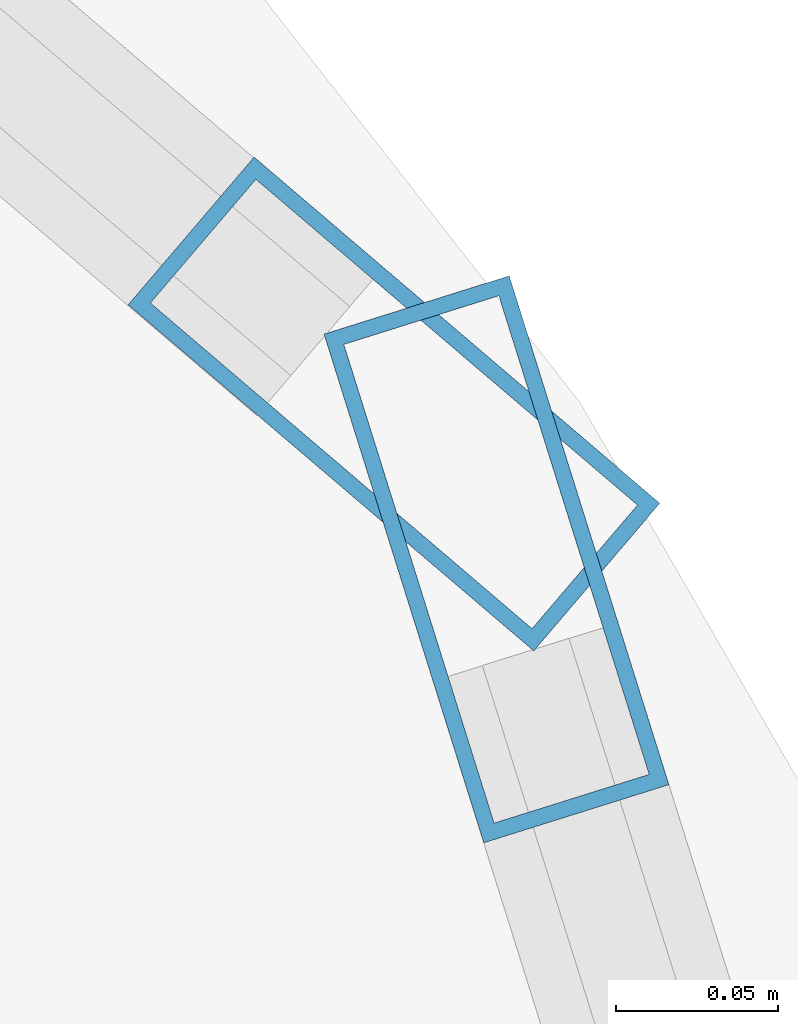
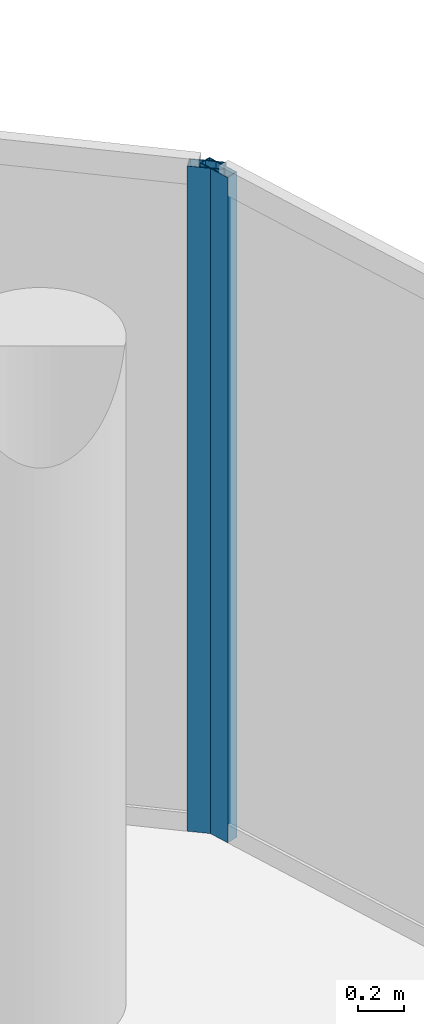
# One storey, part 14 of 24: 2 members, 2 elements without a shape of their own.
"""IFC4 building model written with IfcOpenShell, lengths in metres."""

from ifc_helpers import new_model, si_unit, direction, frame, origin, origin_2d, place, context, subcontext, project, spatial, hollow_rectangle, extrude, material, layer, layer_set, material_profile, profile_set, type_object, element, aggregate, save


model = new_model("IFC4")

# Units and contexts
model_context = context("Model", 3, precision=1e-05, world=origin(), true_north=direction((0.0, 1.0)))
body_context = subcontext(model_context, "Body", "Model", "MODEL_VIEW")
ifc_project = project(units=[si_unit("LENGTHUNIT", "METRE"), si_unit("AREAUNIT", "SQUARE_METRE"), si_unit("VOLUMEUNIT", "CUBIC_METRE"), si_unit("PLANEANGLEUNIT", "RADIAN"), si_unit("MASSUNIT", "GRAM", prefix="KILO")], contexts=[model_context])

# Site, building, storey
site_placement = place(None, origin())
site = spatial("IfcSite", under=ifc_project, at=site_placement, CompositionType="ELEMENT")
building_placement = place(site_placement, origin())
building = spatial("IfcBuilding", under=site, at=building_placement, Name="Nuhasar Tower", CompositionType="ELEMENT")
storey_placement = place(building_placement, frame((0.0, 0.0, 293.60009765625)))
storey = spatial("IfcBuildingStorey", under=building, at=storey_placement, Name="L73", CompositionType="ELEMENT", Elevation=293.60009765625)

# Curtain wall, member
ifc_material = material(Name="Aluminium 6063-T6", Category="aluminium")
ifc_layer = layer(ifc_material, 0.18994140625)
ifc_layer_set = layer_set([ifc_layer], Name="Aluminium 6063-T6")
curtain_wall_type = type_object("IfcCurtainWallType", Name="CW-Z4-PEN", PredefinedType="NOTDEFINED", material=ifc_layer_set)
curtain_wall_1_placement = place(storey_placement, origin())
curtain_wall_1 = element("IfcCurtainWall", 1, at=curtain_wall_1_placement, inside=storey, type_object=curtain_wall_type, Name="L73 Unitised Curtain Wall 01", PredefinedType="NOTDEFINED")
ifc_material_profile = material_profile(ifc_material, hollow_rectangle(XDim=0.06005859375, YDim=0.1650390625, WallThickness=0.0048828125, at=origin_2d()), Name="CWM-5")
ifc_profile_set = profile_set([ifc_material_profile], Name="Aluminium 6063-T6")
member_type = type_object("IfcMemberType", Name="CW-MUL-S5", PredefinedType="MULLION", material=ifc_profile_set)
member_1_placement = place(storey_placement, frame((56.72802734375, 35.50146484375, 0.0), z_axis=(0.0, 0.0, 1.0), x_axis=(-0.954078526601, -0.299556614146, 0.0)))
member_1 = element("IfcMember", 2, at=member_1_placement, type_object=member_type, Name="CW-Z4 mullion 2", PredefinedType="MULLION", context=body_context, shape_type="SweptSolid", body=[
    extrude(hollow_rectangle(XDim=0.06005859375, YDim=0.1650390625, WallThickness=0.0048828125, at=origin_2d()), origin(), (0.0, 0.0, 1.0), 3.539794921875),
])
aggregate(curtain_wall_1, [member_1])

curtain_wall_2_placement = place(storey_placement, origin())
curtain_wall_2 = element("IfcCurtainWall", 3, at=curtain_wall_2_placement, inside=storey, type_object=curtain_wall_type, Name="L73 Unitised Curtain Wall 02", PredefinedType="NOTDEFINED")
member_2_placement = place(storey_placement, frame((56.6962890625, 35.549560546875, 0.0), z_axis=(0.0, 0.0, 1.0), x_axis=(-0.649141996205, -0.760667252327, 0.0)))
member_2 = element("IfcMember", 4, at=member_2_placement, type_object=member_type, Name="CW-Z4 mullion 1", PredefinedType="MULLION", context=body_context, shape_type="SweptSolid", body=[
    extrude(hollow_rectangle(XDim=0.06005859375, YDim=0.1650390625, WallThickness=0.0048828125, at=origin_2d()), origin(), (0.0, 0.0, 1.0), 3.539794921875),
])
aggregate(curtain_wall_2, [member_2])

save(model, "model.ifc")
